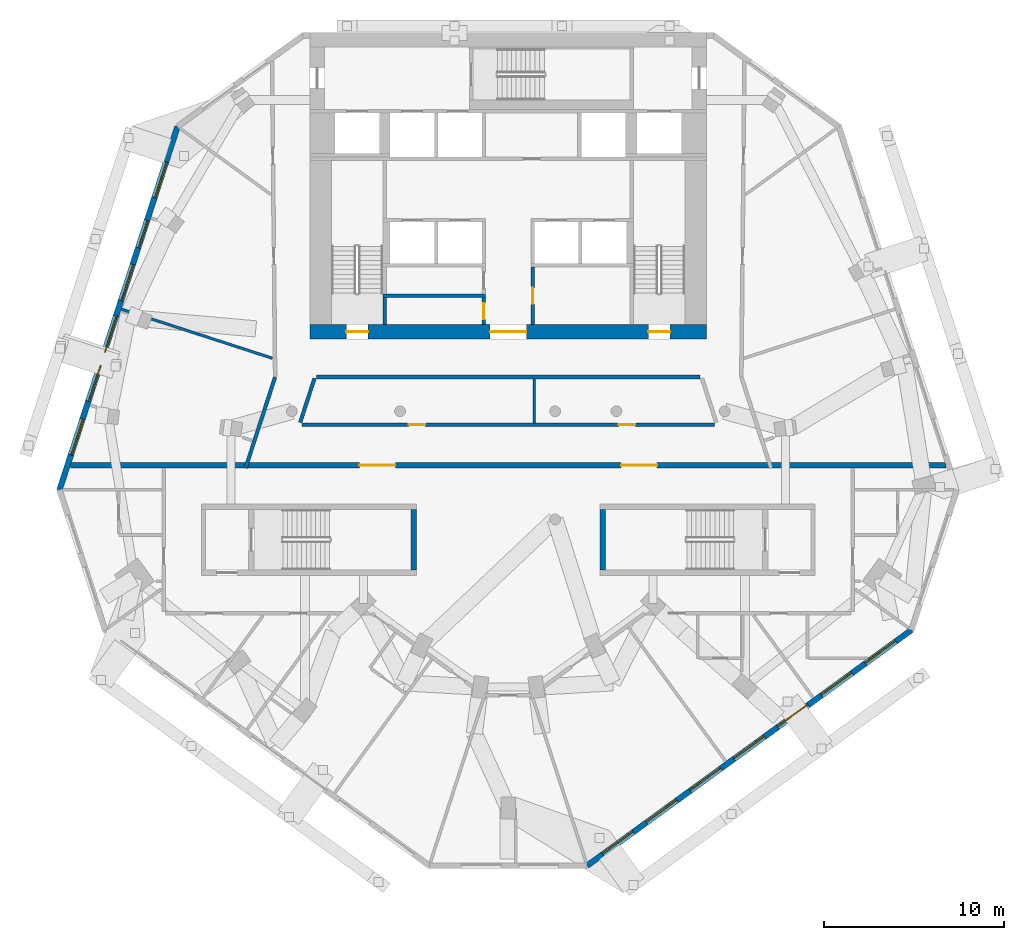
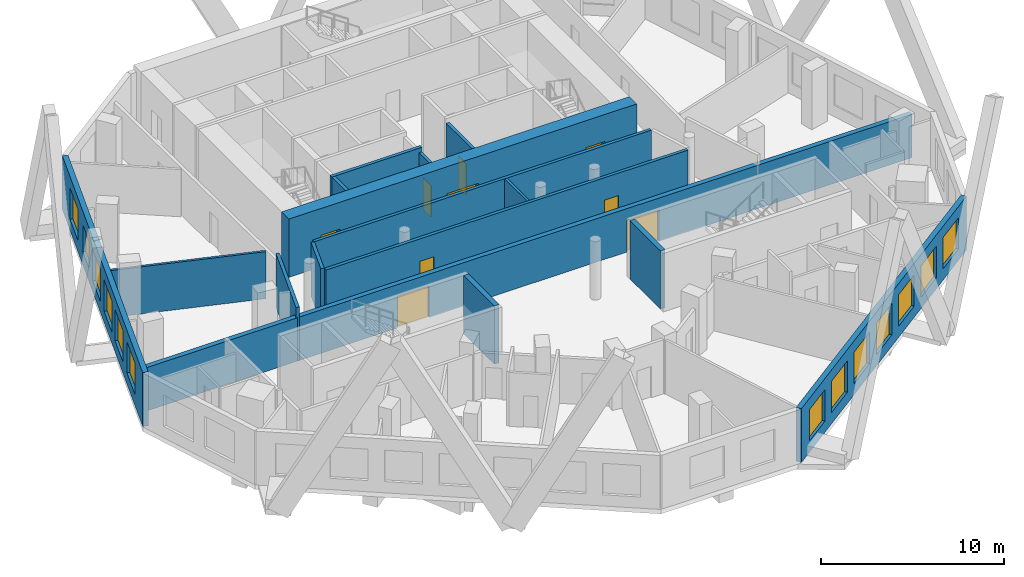
# One storey, part 5 of 10: 16 walls, 13 windows, 9 doors, 22 openings.
"""IFC4 building model written with IfcOpenShell, lengths in metres."""

from ifc_helpers import new_model, si_unit, direction, frame, frame_2d, origin, place, context, subcontext, project, spatial, rectangle, extrude, material, layer, layer_set, type_object, element, fill, save


model = new_model("IFC4")

# Units and contexts
model_context = context("Model", 3, precision=1e-05, world=origin(), true_north=direction((0.0, 1.0)))
body_context = subcontext(model_context, "Body", "Model", "MODEL_VIEW")
ifc_project = project(units=[si_unit("LENGTHUNIT", "METRE"), si_unit("AREAUNIT", "SQUARE_METRE"), si_unit("VOLUMEUNIT", "CUBIC_METRE"), si_unit("PLANEANGLEUNIT", "RADIAN"), si_unit("MASSUNIT", "GRAM", prefix="KILO")], contexts=[model_context])

# Site, building, storey
site_placement = place(None, origin())
site = spatial("IfcSite", under=ifc_project, at=site_placement, CompositionType="ELEMENT")
building_placement = place(site_placement, origin())
building = spatial("IfcBuilding", under=site, at=building_placement, Name="White Candle Pilgrim Tower", CompositionType="ELEMENT")
storey_placement = place(building_placement, frame((0.0, 0.0, 196.5)))
storey = spatial("IfcBuildingStorey", under=building, at=storey_placement, Name="L45", CompositionType="ELEMENT", Elevation=196.5)

# Wall
ifc_material_1 = material(Name="Gypsum board on steel studs", Category="steel")
ifc_layer_1 = layer(ifc_material_1, 0.199951171875)
ifc_layer_set_1 = layer_set([ifc_layer_1], Name="Corridor wall 200 mm EI 45")
wall_type_1 = type_object("IfcWallType", Name="Corridor wall 200 mm EI 45", PredefinedType="PARTITIONING", material=ifc_layer_set_1)
wall_1_placement = place(storey_placement, frame((55.43115234375, 63.85009765625, 0.0), z_axis=(0.0, 0.0, 1.0), x_axis=(0.309009941901, 0.951058807754, 0.0)))
element("IfcWall", 1, at=wall_1_placement, inside=storey, type_object=wall_type_1, Name="WL-L45-P002", PredefinedType="PARTITIONING", context=body_context, shape_type="SweptSolid", body=[
    extrude(rectangle(XDim=5.29345703125, YDim=0.199951171875, at=frame_2d((2.646728515625, 0.0))), origin(), (0.0, 0.0, 1.0), 3.60009765625),
])

# Wall, openings, doors
wall_2_placement = place(storey_placement, frame((58.556640625, 66.25, 0.0), z_axis=(0.0, 0.0, 1.0), x_axis=(1.0, 0.0, 0.0)))
wall_2 = element("IfcWall", 2, at=wall_2_placement, inside=storey, type_object=wall_type_1, Name="WL-L45-P013", PredefinedType="PARTITIONING", context=body_context, shape_type="SweptSolid", body=[
    extrude(rectangle(XDim=22.88671875, YDim=0.199951171875, at=frame_2d((11.443359375, 0.0))), origin(), (0.0, 0.0, 1.0), 3.60009765625),
])
opening_1_placement = place(wall_2_placement, frame((5.927001953125, 0.0, 0.0)))
opening_1 = element("IfcOpeningElement", 3, at=opening_1_placement, cuts=wall_2, Name="Opening T14-117", PredefinedType="OPENING", context=body_context, shape_type="SweptSolid", body=[
    extrude(rectangle(XDim=0.89990234375, YDim=2.10009765625, at=frame_2d((0.449951171875, 1.050048828125))), frame((0.0, 0.10986328125, 0.0), z_axis=(0.0, -1.0, 0.0), x_axis=(1.0, 0.0, 0.0)), (0.0, 0.0, 1.0), 0.219970703125),
])
opening_2_placement = place(wall_2_placement, frame((17.5830078125, 0.0, 0.0)))
opening_2 = element("IfcOpeningElement", 4, at=opening_2_placement, cuts=wall_2, Name="Opening T14-118", PredefinedType="OPENING", context=body_context, shape_type="SweptSolid", body=[
    extrude(rectangle(XDim=0.89990234375, YDim=2.10009765625, at=frame_2d((0.449951171875, 1.050048828125))), frame((0.0, 0.10986328125, 0.0), z_axis=(0.0, -1.0, 0.0), x_axis=(1.0, 0.0, 0.0)), (0.0, 0.0, 1.0), 0.219970703125),
])
ifc_material_2 = material(Name="Steel door leaf", Category="steel")
door_type_1 = type_object("IfcDoorType", Name="Fire door 900 x 2100 EI 30", OperationType="NOTDEFINED", PredefinedType="DOOR", material=ifc_material_2)
door_1_placement = place(opening_1_placement, origin())
door_1 = element("IfcDoor", 5, at=door_1_placement, inside=storey, type_object=door_type_1, Name="Door T14-117", OperationType="SINGLE_SWING_LEFT", OverallHeight=2.10009765625, OverallWidth=0.89990234375, PredefinedType="DOOR", context=body_context, shape_type="SweptSolid", body=[
    extrude(rectangle(XDim=0.89990234375, YDim=2.10009765625, at=frame_2d((0.449951171875, 1.050048828125))), frame((0.0, 0.02490234375, 0.0), z_axis=(0.0, -1.0, 0.0), x_axis=(1.0, 0.0, 0.0)), (0.0, 0.0, 1.0), 0.050048828125),
])
fill(opening_1, door_1)
door_2_placement = place(opening_2_placement, origin())
door_2 = element("IfcDoor", 6, at=door_2_placement, inside=storey, type_object=door_type_1, Name="Door T14-118", OperationType="SINGLE_SWING_RIGHT", OverallHeight=2.10009765625, OverallWidth=0.89990234375, PredefinedType="DOOR", context=body_context, shape_type="SweptSolid", body=[
    extrude(rectangle(XDim=0.89990234375, YDim=2.10009765625, at=frame_2d((0.449951171875, 1.050048828125))), frame((0.0, 0.02490234375, 0.0), z_axis=(0.0, -1.0, 0.0), x_axis=(1.0, 0.0, 0.0)), (0.0, 0.0, 1.0), 0.050048828125),
])
fill(opening_2, door_2)

# Walls
wall_3_placement = place(storey_placement, frame((80.647216796875, 68.89990234375, 0.0), z_axis=(0.0, 0.0, 1.0), x_axis=(-1.0, 0.0, 0.0)))
element("IfcWall", 7, at=wall_3_placement, inside=storey, type_object=wall_type_1, Name="WL-L45-P015", PredefinedType="PARTITIONING", context=body_context, shape_type="SweptSolid", body=[
    extrude(rectangle(XDim=21.29443359375, YDim=0.199951171875, at=frame_2d((10.647216796875, 0.0))), origin(), (0.0, 0.0, 1.0), 3.60009765625),
])
wall_4_placement = place(storey_placement, frame((59.2578125, 68.830810546875, 0.0), z_axis=(0.0, 0.0, 1.0), x_axis=(-0.309053927645, -0.951044515155, 0.0)))
element("IfcWall", 8, at=wall_4_placement, inside=storey, type_object=wall_type_1, Name="WL-L45-P016", PredefinedType="PARTITIONING", context=body_context, shape_type="SweptSolid", body=[
    extrude(rectangle(XDim=2.576171875, YDim=0.199951171875, at=frame_2d((1.2880859375, 0.0))), origin(), (0.0, 0.0, 1.0), 3.60009765625),
])

# Wall, openings, windows
ifc_material_3 = material(Name="Precast concrete C40/50", Category="concrete")
ifc_layer_2 = layer(ifc_material_3, 0.320068359375)
ifc_layer_set_2 = layer_set([ifc_layer_2], Name="Facade wall EW1 precast concrete C40/50 pier wall with timber-lined reveals")
wall_type_2 = type_object("IfcWallType", Name="Facade wall EW1 precast concrete C40/50 pier wall with timber-lined reveals", PredefinedType="SOLIDWALL", material=ifc_layer_set_2)
wall_5_placement = place(storey_placement, frame((74.377685546875, 41.801025390625, 0.0), z_axis=(0.0, 0.0, 1.0), x_axis=(0.809017634756, 0.587784370883, 0.0)))
wall_5 = element("IfcWall", 9, at=wall_5_placement, inside=storey, type_object=wall_type_2, Name="Facade wall L45 SE", PredefinedType="SOLIDWALL", context=body_context, shape_type="SweptSolid", body=[
    extrude(rectangle(XDim=22.228759765625, YDim=0.320068359375, at=frame_2d((11.1142578125, 0.0))), origin(), (0.0, 0.0, 1.0), 3.60009765625),
])
opening_3_placement = place(wall_5_placement, frame((1.064208984375, 0.0, 0.75)))
opening_3 = element("IfcOpeningElement", 10, at=opening_3_placement, cuts=wall_5, Name="Opening W3", PredefinedType="OPENING", context=body_context, shape_type="SweptSolid", body=[
    extrude(rectangle(XDim=2.10009765625, YDim=2.10009765625, at=frame_2d((1.050048828125, 1.050048828125))), frame((0.0, 0.169921875, 0.0), z_axis=(0.0, -1.0, 0.0), x_axis=(1.0, 0.0, 0.0)), (0.0, 0.0, 1.0), 0.340087890625),
])
opening_4_placement = place(wall_5_placement, frame((4.064208984375, 0.0, 0.75)))
opening_4 = element("IfcOpeningElement", 11, at=opening_4_placement, cuts=wall_5, Name="Opening W3", PredefinedType="OPENING", context=body_context, shape_type="SweptSolid", body=[
    extrude(rectangle(XDim=2.10009765625, YDim=2.10009765625, at=frame_2d((1.050048828125, 1.050048828125))), frame((0.0, 0.169921875, 0.0), z_axis=(0.0, -1.0, 0.0), x_axis=(1.0, 0.0, 0.0)), (0.0, 0.0, 1.0), 0.340087890625),
])
opening_5_placement = place(wall_5_placement, frame((7.064208984375, 0.0, 0.75)))
opening_5 = element("IfcOpeningElement", 12, at=opening_5_placement, cuts=wall_5, Name="Opening W3", PredefinedType="OPENING", context=body_context, shape_type="SweptSolid", body=[
    extrude(rectangle(XDim=2.10009765625, YDim=2.10009765625, at=frame_2d((1.050048828125, 1.050048828125))), frame((0.0, 0.169921875, 0.0), z_axis=(0.0, -1.0, 0.0), x_axis=(1.0, 0.0, 0.0)), (0.0, 0.0, 1.0), 0.340087890625),
])
opening_6_placement = place(wall_5_placement, frame((10.064208984375, 0.0, 0.75)))
opening_6 = element("IfcOpeningElement", 13, at=opening_6_placement, cuts=wall_5, Name="Opening W3", PredefinedType="OPENING", context=body_context, shape_type="SweptSolid", body=[
    extrude(rectangle(XDim=2.10009765625, YDim=2.10009765625, at=frame_2d((1.050048828125, 1.050048828125))), frame((0.0, 0.169921875, 0.0), z_axis=(0.0, -1.0, 0.0), x_axis=(1.0, 0.0, 0.0)), (0.0, 0.0, 1.0), 0.340087890625),
])
opening_7_placement = place(wall_5_placement, frame((13.064208984375, 0.0, 0.75)))
opening_7 = element("IfcOpeningElement", 14, at=opening_7_placement, cuts=wall_5, Name="Opening W3", PredefinedType="OPENING", context=body_context, shape_type="SweptSolid", body=[
    extrude(rectangle(XDim=2.10009765625, YDim=2.10009765625, at=frame_2d((1.050048828125, 1.050048828125))), frame((0.0, 0.169921875, 0.0), z_axis=(0.0, -1.0, 0.0), x_axis=(1.0, 0.0, 0.0)), (0.0, 0.0, 1.0), 0.340087890625),
])
opening_8_placement = place(wall_5_placement, frame((16.064208984375, 0.0, 0.75)))
opening_8 = element("IfcOpeningElement", 15, at=opening_8_placement, cuts=wall_5, Name="Opening W3", PredefinedType="OPENING", context=body_context, shape_type="SweptSolid", body=[
    extrude(rectangle(XDim=2.10009765625, YDim=2.10009765625, at=frame_2d((1.050048828125, 1.050048828125))), frame((0.0, 0.169921875, 0.0), z_axis=(0.0, -1.0, 0.0), x_axis=(1.0, 0.0, 0.0)), (0.0, 0.0, 1.0), 0.340087890625),
])
opening_9_placement = place(wall_5_placement, frame((19.064208984375, 0.0, 0.75)))
opening_9 = element("IfcOpeningElement", 16, at=opening_9_placement, cuts=wall_5, Name="Opening W3", PredefinedType="OPENING", context=body_context, shape_type="SweptSolid", body=[
    extrude(rectangle(XDim=2.10009765625, YDim=2.10009765625, at=frame_2d((1.050048828125, 1.050048828125))), frame((0.0, 0.169921875, 0.0), z_axis=(0.0, -1.0, 0.0), x_axis=(1.0, 0.0, 0.0)), (0.0, 0.0, 1.0), 0.340087890625),
])
ifc_material_4 = material(Name="Timber frame with triple glazing", Category="wood")
window_type_1 = type_object("IfcWindowType", Name="Window W3 2100x2100 timber frame triple glazing", PartitioningType="SINGLE_PANEL", PredefinedType="WINDOW", material=ifc_material_4)
window_1_placement = place(opening_3_placement, origin())
window_1 = element("IfcWindow", 17, at=window_1_placement, inside=storey, type_object=window_type_1, Name="Window W3 L45 SE 1", OverallHeight=2.10009765625, OverallWidth=2.10009765625, PartitioningType="SINGLE_PANEL", PredefinedType="WINDOW", context=body_context, shape_type="SweptSolid", body=[
    extrude(rectangle(XDim=2.10009765625, YDim=2.10009765625, at=frame_2d((1.050048828125, 1.050048828125))), frame((0.0, 0.070068359375, 0.0), z_axis=(0.0, -1.0, 0.0), x_axis=(1.0, 0.0, 0.0)), (0.0, 0.0, 1.0), 0.06005859375),
])
fill(opening_3, window_1)
window_2_placement = place(opening_4_placement, origin())
window_2 = element("IfcWindow", 18, at=window_2_placement, inside=storey, type_object=window_type_1, Name="Window W3 L45 SE 2", OverallHeight=2.10009765625, OverallWidth=2.10009765625, PartitioningType="SINGLE_PANEL", PredefinedType="WINDOW", context=body_context, shape_type="SweptSolid", body=[
    extrude(rectangle(XDim=2.10009765625, YDim=2.10009765625, at=frame_2d((1.050048828125, 1.050048828125))), frame((0.0, 0.070068359375, 0.0), z_axis=(0.0, -1.0, 0.0), x_axis=(1.0, 0.0, 0.0)), (0.0, 0.0, 1.0), 0.06005859375),
])
fill(opening_4, window_2)
window_3_placement = place(opening_5_placement, origin())
window_3 = element("IfcWindow", 19, at=window_3_placement, inside=storey, type_object=window_type_1, Name="Window W3 L45 SE 3", OverallHeight=2.10009765625, OverallWidth=2.10009765625, PartitioningType="SINGLE_PANEL", PredefinedType="WINDOW", context=body_context, shape_type="SweptSolid", body=[
    extrude(rectangle(XDim=2.10009765625, YDim=2.10009765625, at=frame_2d((1.050048828125, 1.050048828125))), frame((0.0, 0.070068359375, 0.0), z_axis=(0.0, -1.0, 0.0), x_axis=(1.0, 0.0, 0.0)), (0.0, 0.0, 1.0), 0.06005859375),
])
fill(opening_5, window_3)
window_4_placement = place(opening_6_placement, origin())
window_4 = element("IfcWindow", 20, at=window_4_placement, inside=storey, type_object=window_type_1, Name="Window W3 L45 SE 4", OverallHeight=2.10009765625, OverallWidth=2.10009765625, PartitioningType="SINGLE_PANEL", PredefinedType="WINDOW", context=body_context, shape_type="SweptSolid", body=[
    extrude(rectangle(XDim=2.10009765625, YDim=2.10009765625, at=frame_2d((1.050048828125, 1.050048828125))), frame((0.0, 0.070068359375, 0.0), z_axis=(0.0, -1.0, 0.0), x_axis=(1.0, 0.0, 0.0)), (0.0, 0.0, 1.0), 0.06005859375),
])
fill(opening_6, window_4)
window_5_placement = place(opening_7_placement, origin())
window_5 = element("IfcWindow", 21, at=window_5_placement, inside=storey, type_object=window_type_1, Name="Window W3 L45 SE 5", OverallHeight=2.10009765625, OverallWidth=2.10009765625, PartitioningType="SINGLE_PANEL", PredefinedType="WINDOW", context=body_context, shape_type="SweptSolid", body=[
    extrude(rectangle(XDim=2.10009765625, YDim=2.10009765625, at=frame_2d((1.050048828125, 1.050048828125))), frame((0.0, 0.070068359375, 0.0), z_axis=(0.0, -1.0, 0.0), x_axis=(1.0, 0.0, 0.0)), (0.0, 0.0, 1.0), 0.06005859375),
])
fill(opening_7, window_5)
window_6_placement = place(opening_8_placement, origin())
window_6 = element("IfcWindow", 22, at=window_6_placement, inside=storey, type_object=window_type_1, Name="Window W3 L45 SE 6", OverallHeight=2.10009765625, OverallWidth=2.10009765625, PartitioningType="SINGLE_PANEL", PredefinedType="WINDOW", context=body_context, shape_type="SweptSolid", body=[
    extrude(rectangle(XDim=2.10009765625, YDim=2.10009765625, at=frame_2d((1.050048828125, 1.050048828125))), frame((0.0, 0.070068359375, 0.0), z_axis=(0.0, -1.0, 0.0), x_axis=(1.0, 0.0, 0.0)), (0.0, 0.0, 1.0), 0.06005859375),
])
fill(opening_8, window_6)
window_7_placement = place(opening_9_placement, origin())
window_7 = element("IfcWindow", 23, at=window_7_placement, inside=storey, type_object=window_type_1, Name="Window W3 L45 SE 7", OverallHeight=2.10009765625, OverallWidth=2.10009765625, PartitioningType="SINGLE_PANEL", PredefinedType="WINDOW", context=body_context, shape_type="SweptSolid", body=[
    extrude(rectangle(XDim=2.10009765625, YDim=2.10009765625, at=frame_2d((1.050048828125, 1.050048828125))), frame((0.0, 0.070068359375, 0.0), z_axis=(0.0, -1.0, 0.0), x_axis=(1.0, 0.0, 0.0)), (0.0, 0.0, 1.0), 0.06005859375),
])
fill(opening_9, window_7)

wall_6_placement = place(storey_placement, frame((51.657958984375, 82.785400390625, 0.0), z_axis=(0.0, 0.0, 1.0), x_axis=(-0.309019087741, -0.951055836117, 0.0)))
wall_6 = element("IfcWall", 24, at=wall_6_placement, inside=storey, type_object=wall_type_2, Name="Facade wall L45 WNW", PredefinedType="SOLIDWALL", context=body_context, shape_type="SweptSolid", body=[
    extrude(rectangle(XDim=21.180419921875, YDim=0.320068359375, at=frame_2d((10.59033203125, 0.0))), origin(), (0.0, 0.0, 1.0), 3.60009765625),
])
opening_10_placement = place(wall_6_placement, frame((2.040283203125, 0.0, 0.75)))
opening_10 = element("IfcOpeningElement", 25, at=opening_10_placement, cuts=wall_6, Name="Opening W3", PredefinedType="OPENING", context=body_context, shape_type="SweptSolid", body=[
    extrude(rectangle(XDim=2.10009765625, YDim=2.10009765625, at=frame_2d((1.050048828125, 1.050048828125))), frame((0.0, 0.169921875, 0.0), z_axis=(0.0, -1.0, 0.0), x_axis=(1.0, 0.0, 0.0)), (0.0, 0.0, 1.0), 0.340087890625),
])
opening_11_placement = place(wall_6_placement, frame((5.452880859375, 0.0, 0.89990234375)))
opening_11 = element("IfcOpeningElement", 26, at=opening_11_placement, cuts=wall_6, Name="Opening W2", PredefinedType="OPENING", context=body_context, shape_type="SweptSolid", body=[
    extrude(rectangle(XDim=1.60009765625, YDim=1.800048828125, at=frame_2d((0.800048828125, 0.89990234375))), frame((0.0, 0.169921875, 0.0), z_axis=(0.0, -1.0, 0.0), x_axis=(1.0, 0.0, 0.0)), (0.0, 0.0, 1.0), 0.340087890625),
])
opening_12_placement = place(wall_6_placement, frame((8.040283203125, 0.0, 0.75)))
opening_12 = element("IfcOpeningElement", 27, at=opening_12_placement, cuts=wall_6, Name="Opening W3", PredefinedType="OPENING", context=body_context, shape_type="SweptSolid", body=[
    extrude(rectangle(XDim=2.10009765625, YDim=2.10009765625, at=frame_2d((1.050048828125, 1.050048828125))), frame((0.0, 0.169921875, 0.0), z_axis=(0.0, -1.0, 0.0), x_axis=(1.0, 0.0, 0.0)), (0.0, 0.0, 1.0), 0.340087890625),
])
opening_13_placement = place(wall_6_placement, frame((11.040283203125, 0.0, 0.75)))
opening_13 = element("IfcOpeningElement", 28, at=opening_13_placement, cuts=wall_6, Name="Opening W3", PredefinedType="OPENING", context=body_context, shape_type="SweptSolid", body=[
    extrude(rectangle(XDim=2.10009765625, YDim=2.10009765625, at=frame_2d((1.050048828125, 1.050048828125))), frame((0.0, 0.169921875, 0.0), z_axis=(0.0, -1.0, 0.0), x_axis=(1.0, 0.0, 0.0)), (0.0, 0.0, 1.0), 0.340087890625),
])
opening_14_placement = place(wall_6_placement, frame((13.908203125, 0.0, 0.75)))
opening_14 = element("IfcOpeningElement", 29, at=opening_14_placement, cuts=wall_6, Name="Opening W3", PredefinedType="OPENING", context=body_context, shape_type="SweptSolid", body=[
    extrude(rectangle(XDim=2.10009765625, YDim=2.10009765625, at=frame_2d((1.050048828125, 1.050048828125))), frame((0.0, 0.169921875, 0.0), z_axis=(0.0, -1.0, 0.0), x_axis=(1.0, 0.0, 0.0)), (0.0, 0.0, 1.0), 0.340087890625),
])
opening_15_placement = place(wall_6_placement, frame((17.040283203125, 0.0, 0.75)))
opening_15 = element("IfcOpeningElement", 30, at=opening_15_placement, cuts=wall_6, Name="Opening W3", PredefinedType="OPENING", context=body_context, shape_type="SweptSolid", body=[
    extrude(rectangle(XDim=2.10009765625, YDim=2.10009765625, at=frame_2d((1.050048828125, 1.050048828125))), frame((0.0, 0.169921875, 0.0), z_axis=(0.0, -1.0, 0.0), x_axis=(1.0, 0.0, 0.0)), (0.0, 0.0, 1.0), 0.340087890625),
])
window_type_2 = type_object("IfcWindowType", Name="Window W2 1600x1800 timber frame triple glazing", PartitioningType="SINGLE_PANEL", PredefinedType="WINDOW", material=ifc_material_4)
window_8_placement = place(opening_11_placement, origin())
window_8 = element("IfcWindow", 31, at=window_8_placement, inside=storey, type_object=window_type_2, Name="Window W2 L45 WNW 2", OverallHeight=1.800048828125, OverallWidth=1.60009765625, PartitioningType="SINGLE_PANEL", PredefinedType="WINDOW", context=body_context, shape_type="SweptSolid", body=[
    extrude(rectangle(XDim=1.60009765625, YDim=1.800048828125, at=frame_2d((0.800048828125, 0.89990234375))), frame((0.0, 0.070068359375, 0.0), z_axis=(0.0, -1.0, 0.0), x_axis=(1.0, 0.0, 0.0)), (0.0, 0.0, 1.0), 0.06005859375),
])
fill(opening_11, window_8)
window_9_placement = place(opening_10_placement, origin())
window_9 = element("IfcWindow", 32, at=window_9_placement, inside=storey, type_object=window_type_1, Name="Window W3 L45 WNW 1", OverallHeight=2.10009765625, OverallWidth=2.10009765625, PartitioningType="SINGLE_PANEL", PredefinedType="WINDOW", context=body_context, shape_type="SweptSolid", body=[
    extrude(rectangle(XDim=2.10009765625, YDim=2.10009765625, at=frame_2d((1.050048828125, 1.050048828125))), frame((0.0, 0.070068359375, 0.0), z_axis=(0.0, -1.0, 0.0), x_axis=(1.0, 0.0, 0.0)), (0.0, 0.0, 1.0), 0.06005859375),
])
fill(opening_10, window_9)
window_10_placement = place(opening_12_placement, origin())
window_10 = element("IfcWindow", 33, at=window_10_placement, inside=storey, type_object=window_type_1, Name="Window W3 L45 WNW 3", OverallHeight=2.10009765625, OverallWidth=2.10009765625, PartitioningType="SINGLE_PANEL", PredefinedType="WINDOW", context=body_context, shape_type="SweptSolid", body=[
    extrude(rectangle(XDim=2.10009765625, YDim=2.10009765625, at=frame_2d((1.050048828125, 1.050048828125))), frame((0.0, 0.070068359375, 0.0), z_axis=(0.0, -1.0, 0.0), x_axis=(1.0, 0.0, 0.0)), (0.0, 0.0, 1.0), 0.06005859375),
])
fill(opening_12, window_10)
window_11_placement = place(opening_13_placement, origin())
window_11 = element("IfcWindow", 34, at=window_11_placement, inside=storey, type_object=window_type_1, Name="Window W3 L45 WNW 4", OverallHeight=2.10009765625, OverallWidth=2.10009765625, PartitioningType="SINGLE_PANEL", PredefinedType="WINDOW", context=body_context, shape_type="SweptSolid", body=[
    extrude(rectangle(XDim=2.10009765625, YDim=2.10009765625, at=frame_2d((1.050048828125, 1.050048828125))), frame((0.0, 0.070068359375, 0.0), z_axis=(0.0, -1.0, 0.0), x_axis=(1.0, 0.0, 0.0)), (0.0, 0.0, 1.0), 0.06005859375),
])
fill(opening_13, window_11)
window_12_placement = place(opening_14_placement, origin())
window_12 = element("IfcWindow", 35, at=window_12_placement, inside=storey, type_object=window_type_1, Name="Window W3 L45 WNW 5", OverallHeight=2.10009765625, OverallWidth=2.10009765625, PartitioningType="SINGLE_PANEL", PredefinedType="WINDOW", context=body_context, shape_type="SweptSolid", body=[
    extrude(rectangle(XDim=2.10009765625, YDim=2.10009765625, at=frame_2d((1.050048828125, 1.050048828125))), frame((0.0, 0.070068359375, 0.0), z_axis=(0.0, -1.0, 0.0), x_axis=(1.0, 0.0, 0.0)), (0.0, 0.0, 1.0), 0.06005859375),
])
fill(opening_14, window_12)
window_13_placement = place(opening_15_placement, origin())
window_13 = element("IfcWindow", 36, at=window_13_placement, inside=storey, type_object=window_type_1, Name="Window W3 L45 WNW 6", OverallHeight=2.10009765625, OverallWidth=2.10009765625, PartitioningType="SINGLE_PANEL", PredefinedType="WINDOW", context=body_context, shape_type="SweptSolid", body=[
    extrude(rectangle(XDim=2.10009765625, YDim=2.10009765625, at=frame_2d((1.050048828125, 1.050048828125))), frame((0.0, 0.070068359375, 0.0), z_axis=(0.0, -1.0, 0.0), x_axis=(1.0, 0.0, 0.0)), (0.0, 0.0, 1.0), 0.06005859375),
])
fill(opening_15, window_13)

# Wall, openings, doors
ifc_material_5 = material(Name="Aerated concrete block", Category="concrete")
ifc_layer_3 = layer(ifc_material_5, 0.300048828125)
ifc_layer_set_3 = layer_set([ifc_layer_3], Name="Fire wall 300 mm REI 240")
wall_type_3 = type_object("IfcWallType", Name="Fire wall 300 mm REI 240", PredefinedType="PARTITIONING", material=ifc_layer_set_3)
wall_7_placement = place(storey_placement, frame((45.722412109375, 64.0, 0.0), z_axis=(0.0, 0.0, 1.0), x_axis=(1.0, 0.0, 0.0)))
wall_7 = element("IfcWall", 37, at=wall_7_placement, inside=storey, type_object=wall_type_3, Name="WL-L45-P001", PredefinedType="PARTITIONING", context=body_context, shape_type="SweptSolid", body=[
    extrude(rectangle(XDim=48.55517578125, YDim=0.300048828125, at=frame_2d((24.277587890625, 0.0))), origin(), (0.0, 0.0, 1.0), 2.89990234375),
])
opening_16_placement = place(wall_7_placement, frame((16.017578125, 0.0, 0.0)))
opening_16 = element("IfcOpeningElement", 38, at=opening_16_placement, cuts=wall_7, Name="Opening T14-115", PredefinedType="OPENING", context=body_context, shape_type="SweptSolid", body=[
    extrude(rectangle(XDim=2.0, YDim=2.10009765625, at=frame_2d((1.0, 1.050048828125))), frame((0.0, 0.159912109375, 0.0), z_axis=(0.0, -1.0, 0.0), x_axis=(1.0, 0.0, 0.0)), (0.0, 0.0, 1.0), 0.320068359375),
])
opening_17_placement = place(wall_7_placement, frame((30.53759765625, 0.0, 0.0)))
opening_17 = element("IfcOpeningElement", 39, at=opening_17_placement, cuts=wall_7, Name="Opening T14-116", PredefinedType="OPENING", context=body_context, shape_type="SweptSolid", body=[
    extrude(rectangle(XDim=2.0, YDim=2.10009765625, at=frame_2d((1.0, 1.050048828125))), frame((0.0, 0.159912109375, 0.0), z_axis=(0.0, -1.0, 0.0), x_axis=(1.0, 0.0, 0.0)), (0.0, 0.0, 1.0), 0.320068359375),
])
door_type_2 = type_object("IfcDoorType", Name="Fire door 2000 x 2100 EI 60", OperationType="NOTDEFINED", PredefinedType="DOOR", material=ifc_material_2)
door_3_placement = place(opening_16_placement, origin())
door_3 = element("IfcDoor", 40, at=door_3_placement, inside=storey, type_object=door_type_2, Name="Door T14-115", OperationType="DOUBLE_DOOR_SINGLE_SWING", OverallHeight=2.10009765625, OverallWidth=2.0, PredefinedType="DOOR", context=body_context, shape_type="SweptSolid", body=[
    extrude(rectangle(XDim=2.0, YDim=2.10009765625, at=frame_2d((1.0, 1.050048828125))), frame((0.0, 0.02490234375, 0.0), z_axis=(0.0, -1.0, 0.0), x_axis=(1.0, 0.0, 0.0)), (0.0, 0.0, 1.0), 0.050048828125),
])
fill(opening_16, door_3)
door_4_placement = place(opening_17_placement, origin())
door_4 = element("IfcDoor", 41, at=door_4_placement, inside=storey, type_object=door_type_2, Name="Door T14-116", OperationType="DOUBLE_DOOR_SINGLE_SWING", OverallHeight=2.10009765625, OverallWidth=2.0, PredefinedType="DOOR", context=body_context, shape_type="SweptSolid", body=[
    extrude(rectangle(XDim=2.0, YDim=2.10009765625, at=frame_2d((1.0, 1.050048828125))), frame((0.0, 0.02490234375, 0.0), z_axis=(0.0, -1.0, 0.0), x_axis=(1.0, 0.0, 0.0)), (0.0, 0.0, 1.0), 0.050048828125),
])
fill(opening_17, door_4)

# Wall, opening, door
ifc_layer_4 = layer(ifc_material_1, 0.199951171875)
ifc_layer_set_4 = layer_set([ifc_layer_4], Name="Lobby wall 200 mm EI 60")
wall_type_4 = type_object("IfcWallType", Name="Lobby wall 200 mm EI 60", PredefinedType="PARTITIONING", material=ifc_layer_set_4)
wall_8_placement = place(storey_placement, frame((68.64990234375, 71.800048828125, 0.0), z_axis=(0.0, 0.0, 1.0), x_axis=(0.0, 1.0, 0.0)))
wall_8 = element("IfcWall", 42, at=wall_8_placement, inside=storey, type_object=wall_type_4, Name="WL-L45-C14", PredefinedType="PARTITIONING", context=body_context, shape_type="SweptSolid", body=[
    extrude(rectangle(XDim=1.5, YDim=0.199951171875, at=frame_2d((0.75, 0.0))), origin(), (0.0, 0.0, 1.0), 3.60009765625),
])
opening_18_placement = place(wall_8_placement, frame((0.300048828125, 0.0, 0.0)))
opening_18 = element("IfcOpeningElement", 43, at=opening_18_placement, cuts=wall_8, Name="Opening T14-005", PredefinedType="OPENING", context=body_context, shape_type="SweptSolid", body=[
    extrude(rectangle(XDim=0.89990234375, YDim=2.10009765625, at=frame_2d((0.449951171875, 1.050048828125))), frame((0.0, 0.10986328125, 0.0), z_axis=(0.0, -1.0, 0.0), x_axis=(1.0, 0.0, 0.0)), (0.0, 0.0, 1.0), 0.219970703125),
])
door_5_placement = place(opening_18_placement, origin())
door_5 = element("IfcDoor", 44, at=door_5_placement, inside=storey, type_object=door_type_1, Name="Door T14-005", OperationType="SINGLE_SWING_LEFT", OverallHeight=2.10009765625, OverallWidth=0.89990234375, PredefinedType="DOOR", context=body_context, shape_type="SweptSolid", body=[
    extrude(rectangle(XDim=0.89990234375, YDim=2.10009765625, at=frame_2d((0.449951171875, 1.050048828125))), frame((0.0, 0.02490234375, 0.0), z_axis=(0.0, -1.0, 0.0), x_axis=(1.0, 0.0, 0.0)), (0.0, 0.0, 1.0), 0.050048828125),
])
fill(opening_18, door_5)

wall_9_placement = place(storey_placement, frame((71.35009765625, 71.800048828125, 0.0), z_axis=(0.0, 0.0, 1.0), x_axis=(0.0, 1.0, 0.0)))
wall_9 = element("IfcWall", 45, at=wall_9_placement, inside=storey, type_object=wall_type_4, Name="WL-L45-C15", PredefinedType="PARTITIONING", context=body_context, shape_type="SweptSolid", body=[
    extrude(rectangle(XDim=3.199951171875, YDim=0.199951171875, at=frame_2d((1.60009765625, 0.0))), origin(), (0.0, 0.0, 1.0), 3.60009765625),
])
opening_19_placement = place(wall_9_placement, frame((1.14990234375, 0.0, 0.0)))
opening_19 = element("IfcOpeningElement", 46, at=opening_19_placement, cuts=wall_9, Name="Opening T14-007", PredefinedType="OPENING", context=body_context, shape_type="SweptSolid", body=[
    extrude(rectangle(XDim=0.89990234375, YDim=2.10009765625, at=frame_2d((0.449951171875, 1.050048828125))), frame((0.0, 0.10986328125, 0.0), z_axis=(0.0, -1.0, 0.0), x_axis=(1.0, 0.0, 0.0)), (0.0, 0.0, 1.0), 0.219970703125),
])
door_6_placement = place(opening_19_placement, origin())
door_6 = element("IfcDoor", 47, at=door_6_placement, inside=storey, type_object=door_type_1, Name="Door T14-007", OperationType="SINGLE_SWING_LEFT", OverallHeight=2.10009765625, OverallWidth=0.89990234375, PredefinedType="DOOR", context=body_context, shape_type="SweptSolid", body=[
    extrude(rectangle(XDim=0.89990234375, YDim=2.10009765625, at=frame_2d((0.449951171875, 1.050048828125))), frame((0.0, 0.02490234375, 0.0), z_axis=(0.0, -1.0, 0.0), x_axis=(1.0, 0.0, 0.0)), (0.0, 0.0, 1.0), 0.050048828125),
])
fill(opening_19, door_6)

# Walls
ifc_layer_5 = layer(ifc_material_1, 0.14990234375)
ifc_layer_set_5 = layer_set([ifc_layer_5], Name="Partition 150 mm EI 60")
wall_type_5 = type_object("IfcWallType", Name="Partition 150 mm EI 60", PredefinedType="PARTITIONING", material=ifc_layer_set_5)
wall_10_placement = place(storey_placement, frame((48.53759765625, 72.6640625, 0.0), z_axis=(0.0, 0.0, 1.0), x_axis=(0.951054829907, -0.309022184495, 0.0)))
element("IfcWall", 48, at=wall_10_placement, inside=storey, type_object=wall_type_5, Name="WL-L45-P025", PredefinedType="PARTITIONING", context=body_context, shape_type="SweptSolid", body=[
    extrude(rectangle(XDim=8.813720703125, YDim=0.14990234375, at=frame_2d((4.40673828125, 0.0))), origin(), (0.0, 0.0, 1.0), 3.14990234375),
])
wall_11_placement = place(storey_placement, frame((71.4482421875, 66.35009765625, 0.0), z_axis=(0.0, 0.0, 1.0), x_axis=(0.0, 1.0, 0.0)))
element("IfcWall", 49, at=wall_11_placement, inside=storey, type_object=wall_type_5, Name="WL-L45-P043", PredefinedType="PARTITIONING", context=body_context, shape_type="SweptSolid", body=[
    extrude(rectangle(XDim=2.449951171875, YDim=0.14990234375, at=frame_2d((1.22509765625, 0.0))), origin(), (0.0, 0.0, 1.0), 3.60009765625),
])
ifc_material_6 = material(Name="Concrete C50/60", Category="concrete")
ifc_layer_6 = layer(ifc_material_6, 0.199951171875)
ifc_layer_set_6 = layer_set([ifc_layer_6], Name="Stair shaft wall 200 mm Concrete C50/60")
wall_type_6 = type_object("IfcWallType", Name="Stair shaft wall 200 mm Concrete C50/60", PredefinedType="SHEAR", material=ifc_layer_set_6)
wall_12_placement = place(storey_placement, frame((63.14990234375, 71.800048828125, 0.0), z_axis=(0.0, 0.0, 1.0), x_axis=(0.0, 1.0, 0.0)))
element("IfcWall", 50, at=wall_12_placement, inside=storey, type_object=wall_type_6, Name="WL-L45-C13", PredefinedType="SHEAR", context=body_context, shape_type="SweptSolid", body=[
    extrude(rectangle(XDim=1.5, YDim=0.199951171875, at=frame_2d((0.75, 0.0))), origin(), (0.0, 0.0, 1.0), 3.89990234375),
])
wall_13_placement = place(storey_placement, frame((63.050048828125, 73.39990234375, 0.0), z_axis=(0.0, 0.0, 1.0), x_axis=(1.0, 0.0, 0.0)))
element("IfcWall", 51, at=wall_13_placement, inside=storey, type_object=wall_type_6, Name="WL-L45-C18", PredefinedType="SHEAR", context=body_context, shape_type="SweptSolid", body=[
    extrude(rectangle(XDim=5.699951171875, YDim=0.199951171875, at=frame_2d((2.85009765625, 0.0))), origin(), (0.0, 0.0, 1.0), 3.89990234375),
])
ifc_layer_7 = layer(ifc_material_6, 0.300048828125)
ifc_layer_set_7 = layer_set([ifc_layer_7], Name="Stair shaft wall 300 mm Concrete C50/60")
wall_type_7 = type_object("IfcWallType", Name="Stair shaft wall 300 mm Concrete C50/60", PredefinedType="SHEAR", material=ifc_layer_set_7)
for number, where, z_axis, x_axis, name in (
    (52, (64.75, 58.199951171875, 0.0), (0.0, 0.0, 1.0), (0.0, 1.0, 0.0), "WL-L45-C05"),
    (53, (75.25, 58.199951171875, 0.0), (0.0, 0.0, 1.0), (0.0, 1.0, 0.0), "WL-L45-C06"),
):
    element("IfcWall", number, at=place(storey_placement, frame(where, z_axis=z_axis, x_axis=x_axis)), inside=storey, type_object=wall_type_7, Name=name, PredefinedType="SHEAR", context=body_context, shape_type="SweptSolid", body=[
        extrude(rectangle(XDim=3.35009765625, YDim=0.300048828125, at=frame_2d((1.675048828125, 0.0))), origin(), (0.0, 0.0, 1.0), 3.89990234375),
    ])

# Wall, openings, doors
ifc_layer_8 = layer(ifc_material_6, 0.800048828125)
ifc_layer_set_8 = layer_set([ifc_layer_8], Name="Stair shaft wall 800 mm Concrete C50/60")
wall_type_8 = type_object("IfcWallType", Name="Stair shaft wall 800 mm Concrete C50/60", PredefinedType="SHEAR", material=ifc_layer_set_8)
wall_14_placement = place(storey_placement, frame((59.0, 71.39990234375, 0.0), z_axis=(0.0, 0.0, 1.0), x_axis=(1.0, 0.0, 0.0)))
wall_14 = element("IfcWall", 54, at=wall_14_placement, inside=storey, type_object=wall_type_8, Name="WL-L45-C11", PredefinedType="SHEAR", context=body_context, shape_type="SweptSolid", body=[
    extrude(rectangle(XDim=22.0, YDim=0.800048828125, at=frame_2d((11.0, 0.0))), origin(), (0.0, 0.0, 1.0), 3.89990234375),
])
opening_20_placement = place(wall_14_placement, frame((2.02490234375, 0.0, 0.0)))
opening_20 = element("IfcOpeningElement", 55, at=opening_20_placement, cuts=wall_14, Name="Opening T14-001", PredefinedType="OPENING", context=body_context, shape_type="SweptSolid", body=[
    extrude(rectangle(XDim=1.199951171875, YDim=2.10009765625, at=frame_2d((0.60009765625, 1.050048828125))), frame((0.0, 0.409912109375, 0.0), z_axis=(0.0, -1.0, 0.0), x_axis=(1.0, 0.0, 0.0)), (0.0, 0.0, 1.0), 0.820068359375),
])
opening_21_placement = place(wall_14_placement, frame((18.77490234375, 0.0, 0.0)))
opening_21 = element("IfcOpeningElement", 56, at=opening_21_placement, cuts=wall_14, Name="Opening T14-002", PredefinedType="OPENING", context=body_context, shape_type="SweptSolid", body=[
    extrude(rectangle(XDim=1.199951171875, YDim=2.10009765625, at=frame_2d((0.60009765625, 1.050048828125))), frame((0.0, 0.409912109375, 0.0), z_axis=(0.0, -1.0, 0.0), x_axis=(1.0, 0.0, 0.0)), (0.0, 0.0, 1.0), 0.820068359375),
])
opening_22_placement = place(wall_14_placement, frame((10.0, 0.0, 0.0)))
opening_22 = element("IfcOpeningElement", 57, at=opening_22_placement, cuts=wall_14, Name="Opening T14-004", PredefinedType="OPENING", context=body_context, shape_type="SweptSolid", body=[
    extrude(rectangle(XDim=2.0, YDim=2.10009765625, at=frame_2d((1.0, 1.050048828125))), frame((0.0, 0.409912109375, 0.0), z_axis=(0.0, -1.0, 0.0), x_axis=(1.0, 0.0, 0.0)), (0.0, 0.0, 1.0), 0.820068359375),
])
door_type_3 = type_object("IfcDoorType", Name="Fire door 1200 x 2100 EI 60", OperationType="NOTDEFINED", PredefinedType="DOOR", material=ifc_material_2)
door_7_placement = place(opening_20_placement, frame((1.199951171875, 0.0, 0.0), z_axis=(0.0, 0.0, 1.0), x_axis=(-1.0, 0.0, 0.0)))
door_7 = element("IfcDoor", 58, at=door_7_placement, inside=storey, type_object=door_type_3, Name="Door T14-001", OperationType="SINGLE_SWING_RIGHT", OverallHeight=2.10009765625, OverallWidth=1.199951171875, PredefinedType="DOOR", context=body_context, shape_type="SweptSolid", body=[
    extrude(rectangle(XDim=1.199951171875, YDim=2.10009765625, at=frame_2d((0.60009765625, 1.050048828125))), frame((0.0, 0.02490234375, 0.0), z_axis=(0.0, -1.0, 0.0), x_axis=(1.0, 0.0, 0.0)), (0.0, 0.0, 1.0), 0.050048828125),
])
fill(opening_20, door_7)
door_8_placement = place(opening_21_placement, frame((1.199951171875, 0.0, 0.0), z_axis=(0.0, 0.0, 1.0), x_axis=(-1.0, 0.0, 0.0)))
door_8 = element("IfcDoor", 59, at=door_8_placement, inside=storey, type_object=door_type_3, Name="Door T14-002", OperationType="SINGLE_SWING_LEFT", OverallHeight=2.10009765625, OverallWidth=1.199951171875, PredefinedType="DOOR", context=body_context, shape_type="SweptSolid", body=[
    extrude(rectangle(XDim=1.199951171875, YDim=2.10009765625, at=frame_2d((0.60009765625, 1.050048828125))), frame((0.0, 0.02490234375, 0.0), z_axis=(0.0, -1.0, 0.0), x_axis=(1.0, 0.0, 0.0)), (0.0, 0.0, 1.0), 0.050048828125),
])
fill(opening_21, door_8)
door_9_placement = place(opening_22_placement, frame((2.0, 0.0, 0.0), z_axis=(0.0, 0.0, 1.0), x_axis=(-1.0, 0.0, 0.0)))
door_9 = element("IfcDoor", 60, at=door_9_placement, inside=storey, type_object=door_type_2, Name="Door T14-004", OperationType="DOUBLE_DOOR_SINGLE_SWING", OverallHeight=2.10009765625, OverallWidth=2.0, PredefinedType="DOOR", context=body_context, shape_type="SweptSolid", body=[
    extrude(rectangle(XDim=2.0, YDim=2.10009765625, at=frame_2d((1.0, 1.050048828125))), frame((0.0, 0.02490234375, 0.0), z_axis=(0.0, -1.0, 0.0), x_axis=(1.0, 0.0, 0.0)), (0.0, 0.0, 1.0), 0.050048828125),
])
fill(opening_22, door_9)

save(model, "model.ifc")
